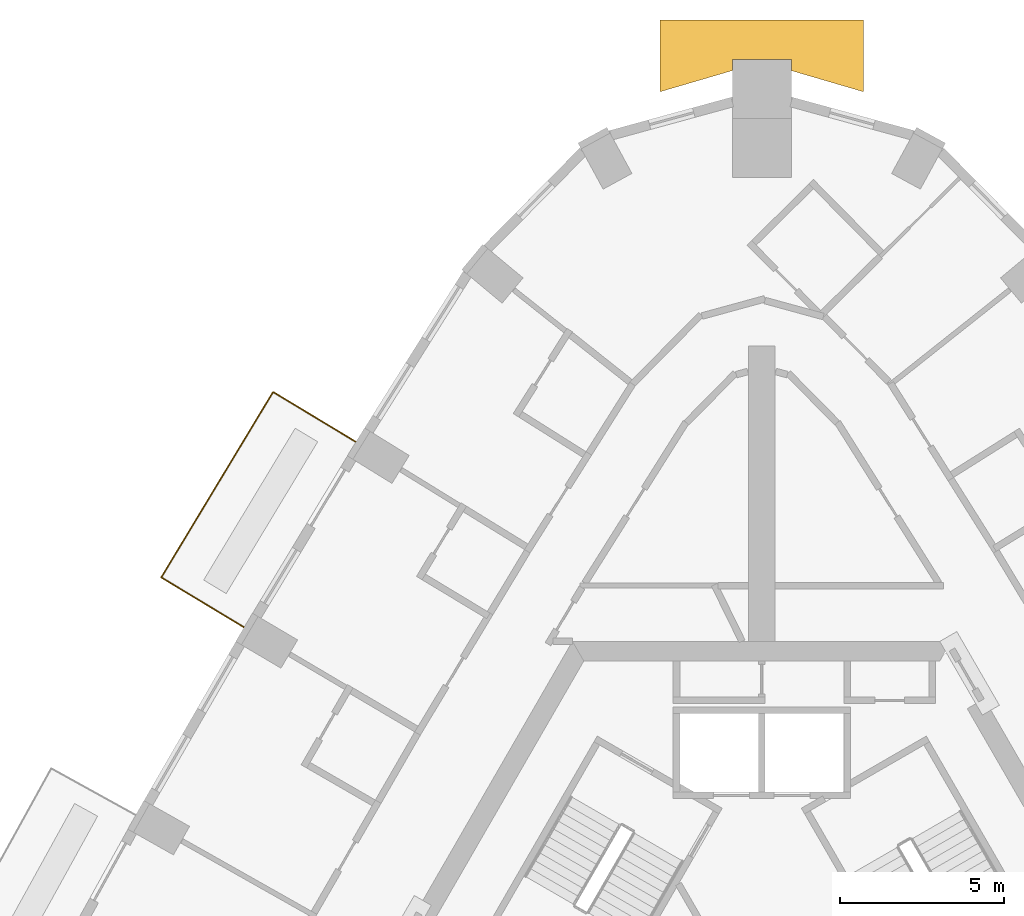
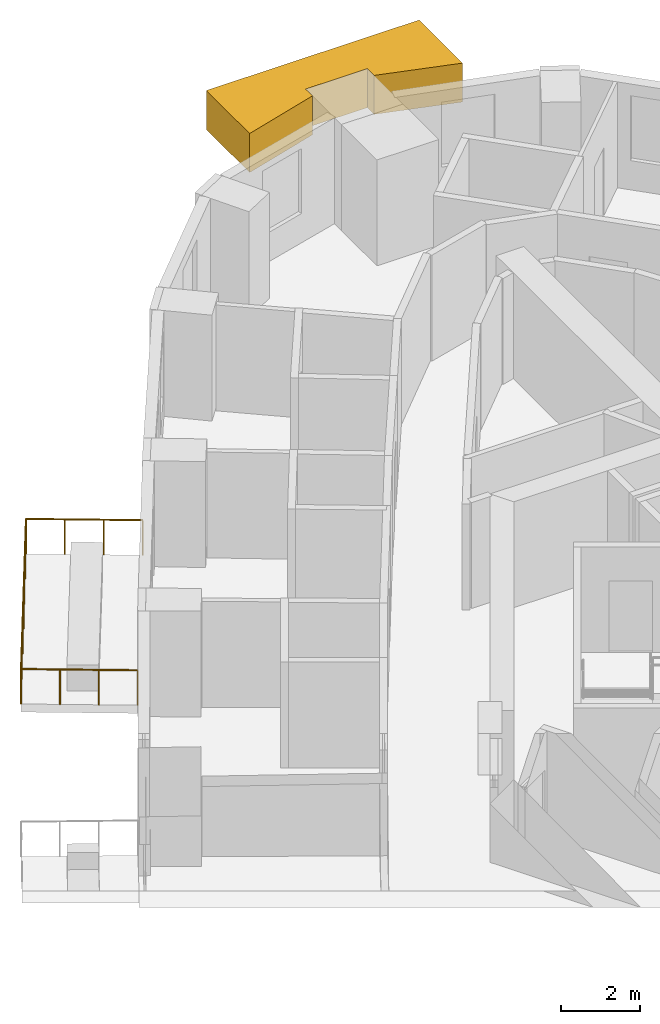
# One storey, part 14 of 14: 1 covering, 1 railing.
"""IFC4 building model written with IfcOpenShell, lengths in metres."""

from ifc_helpers import new_model, si_unit, direction, frame, origin, origin_2d, place, context, subcontext, project, spatial, polyline, circle, outline, extrude, material, type_object, element, save


model = new_model("IFC4")

# Units and contexts
model_context = context("Model", 3, precision=1e-05, world=origin(), true_north=direction((0.0, 1.0)))
body_context = subcontext(model_context, "Body", "Model", "MODEL_VIEW")
ifc_project = project(units=[si_unit("LENGTHUNIT", "METRE"), si_unit("AREAUNIT", "SQUARE_METRE"), si_unit("VOLUMEUNIT", "CUBIC_METRE"), si_unit("PLANEANGLEUNIT", "RADIAN"), si_unit("MASSUNIT", "GRAM", prefix="KILO")], contexts=[model_context])

# Site, building, storey
site_placement = place(None, origin())
site = spatial("IfcSite", under=ifc_project, at=site_placement, CompositionType="ELEMENT")
building_placement = place(site_placement, origin())
building = spatial("IfcBuilding", under=site, at=building_placement, Name="Entoto Arch Interchange Tower", CompositionType="ELEMENT")
storey_placement = place(building_placement, frame((0.0, 0.0, 259.39990234375)))
storey = spatial("IfcBuildingStorey", under=building, at=storey_placement, Name="L59", CompositionType="ELEMENT", Elevation=259.39990234375)

# Railing
ifc_material_1 = material(Name="Stainless steel 1.4301", Category="steel")
railing_type = type_object("IfcRailingType", Name="GUARD 1100 STEEL AND GLASS", PredefinedType="GUARDRAIL", material=ifc_material_1)
railing_placement = place(storey_placement, frame((-12.3759765625, 18.58203125, 0.0)))
element("IfcRailing", 1, at=railing_placement, inside=storey, type_object=railing_type, Name="Balcony guard NW-02 L59", PredefinedType="GUARDRAIL", context=body_context, shape_type="SweptSolid", body=[
    extrude(circle(Radius=0.02392578125, at=origin_2d()), frame((0.0, 0.0, 1.076171875), z_axis=(-0.856402849076, 0.516308202622, 0.0), x_axis=(-0.516308202622, -0.856402849076, 0.0)), (0.0, 0.0, 1.0), 2.94970703125),
    extrude(circle(Radius=0.02392578125, at=origin_2d()), frame((-2.526123046875, 1.52294921875, 1.076171875), z_axis=(-0.516310306714, -0.856401580557, 0.0), x_axis=(0.856401580557, -0.516310306714, 0.0)), (0.0, 0.0, 1.0), 6.6044921875),
    extrude(circle(Radius=0.02392578125, at=origin_2d()), frame((-5.93603515625, -4.133056640625, 1.076171875), z_axis=(0.856402849076, -0.516308202622, 0.0), x_axis=(0.516308202622, 0.856402849076, 0.0)), (0.0, 0.0, 1.0), 2.94970703125),
    extrude(circle(Radius=0.02099609375, at=origin_2d()), origin(), (0.0, 0.0, 1.0), 1.052001953125),
    extrude(circle(Radius=0.02099609375, at=origin_2d()), frame((-0.842041015625, 0.507568359375, 0.0)), (0.0, 0.0, 1.0), 1.052001953125),
    extrude(circle(Radius=0.02099609375, at=origin_2d()), frame((-1.68408203125, 1.015380859375, 0.0)), (0.0, 0.0, 1.0), 1.052001953125),
    extrude(circle(Radius=0.02099609375, at=origin_2d()), frame((-2.526123046875, 1.52294921875, 0.0)), (0.0, 0.0, 1.0), 1.052001953125),
    extrude(circle(Radius=0.02099609375, at=origin_2d()), frame((-3.094482421875, 0.580322265625, 0.0)), (0.0, 0.0, 1.0), 1.052001953125),
    extrude(circle(Radius=0.02099609375, at=origin_2d()), frame((-3.662841796875, -0.3623046875, 0.0)), (0.0, 0.0, 1.0), 1.052001953125),
    extrude(circle(Radius=0.02099609375, at=origin_2d()), frame((-4.23095703125, -1.30517578125, 0.0)), (0.0, 0.0, 1.0), 1.052001953125),
    extrude(circle(Radius=0.02099609375, at=origin_2d()), frame((-4.79931640625, -2.247802734375, 0.0)), (0.0, 0.0, 1.0), 1.052001953125),
    extrude(circle(Radius=0.02099609375, at=origin_2d()), frame((-5.36767578125, -3.1904296875, 0.0)), (0.0, 0.0, 1.0), 1.052001953125),
    extrude(circle(Radius=0.02099609375, at=origin_2d()), frame((-5.93603515625, -4.133056640625, 0.0)), (0.0, 0.0, 1.0), 1.052001953125),
    extrude(circle(Radius=0.02099609375, at=origin_2d()), frame((-5.093994140625, -4.640625, 0.0)), (0.0, 0.0, 1.0), 1.052001953125),
    extrude(circle(Radius=0.02099609375, at=origin_2d()), frame((-4.251953125, -5.1484375, 0.0)), (0.0, 0.0, 1.0), 1.052001953125),
    extrude(circle(Radius=0.02099609375, at=origin_2d()), frame((-3.409912109375, -5.656005859375, 0.0)), (0.0, 0.0, 1.0), 1.052001953125),
])

# Covering
ifc_material_2 = material(Name="Board-marked precast concrete C50/60", Category="concrete")
covering_type = type_object("IfcCoveringType", Name="PRECAST FRAME COURSE", PredefinedType="CLADDING", material=ifc_material_2)
covering_placement = place(storey_placement, frame((0.0, 0.0, 2.06005859375)))
element("IfcCovering", 2, at=covering_placement, inside=storey, type_object=covering_type, Name="Corner pilaster head N L57-L59", PredefinedType="CLADDING", context=body_context, shape_type="SweptSolid", body=[
    extrude(outline(polyline([(-3.10009765625, 31.447021484375), (3.10009765625, 31.447021484375), (3.10009765625, 29.258056640625), (0.89990234375, 29.903076171875), (0.89990234375, 30.2470703125), (-0.89990234375, 30.2470703125), (-0.89990234375, 29.903076171875), (-3.10009765625, 29.258056640625), (-3.10009765625, 31.447021484375)])), origin(), (0.0, 0.0, 1.0), 1.199951171875),
])

save(model, "model.ifc")
